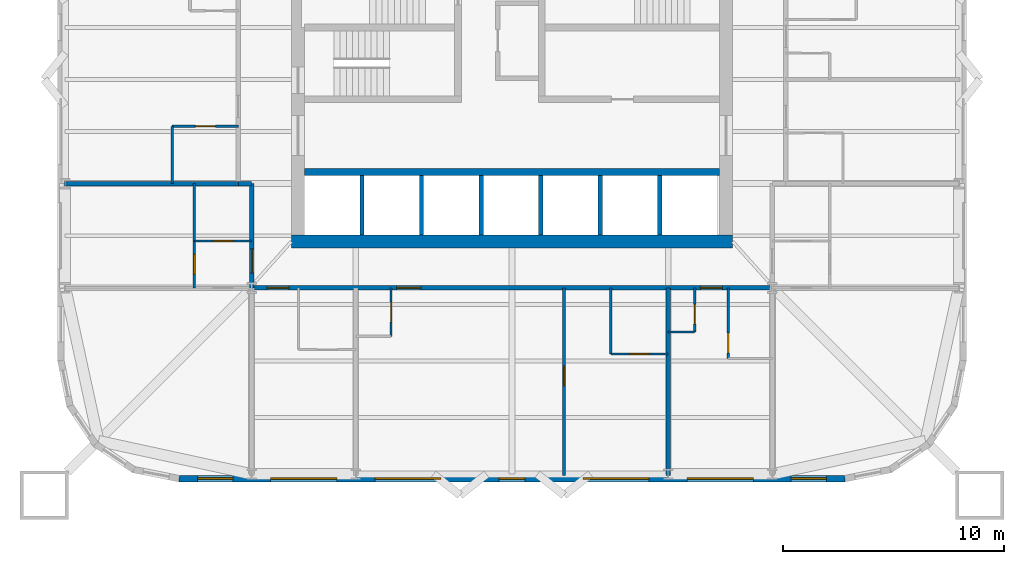
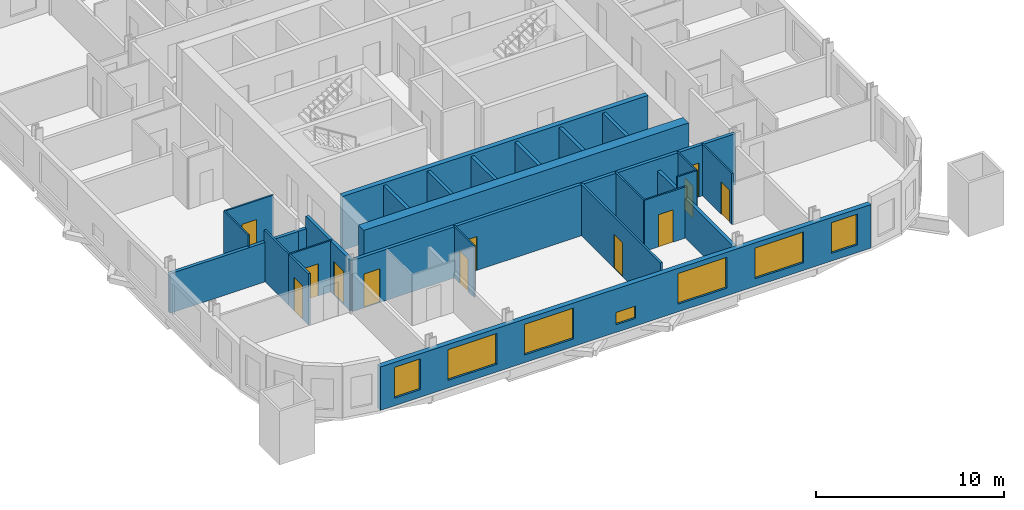
# One storey, part 3 of 9: 26 walls, 12 doors, 7 windows, 19 openings.
"""IFC4 building model written with IfcOpenShell, lengths in metres."""

import ifcopenshell
import ifcopenshell.guid

model = None  # the IFC model being written
_history = None  # IfcOwnerHistory: only IFC2X3 demands one
_inside = {}  # id of a spatial element -> (the spatial element, [elements in it])
_under = {}  # id of a project, library or spatial element -> (it, [spatial elements below it])
_declared = {}  # id of a project -> (the project, [libraries it declares])
_typed = {}  # id of a type object -> (the type object, [elements of that type])
_made_of = {}  # id of a material, layer set ... -> (it, [elements and type objects made of it])


def new_model(schema):
    """Start an empty IFC model of exactly this schema.

    Asked for "IFC4X3", IfcOpenShell would pick the latest addendum, in which some entities
    have other attributes; the version numbers below select the first issue.
    IFC2X3 requires an IfcOwnerHistory on every rooted entity: one is made here for all.
    """
    global model, _history
    if schema == "IFC4X3":
        model = ifcopenshell.file(schema_version=(4, 3, 0, 0))
    else:
        model = ifcopenshell.file(schema=schema)
    _inside.clear()
    _under.clear()
    _declared.clear()
    _typed.clear()
    _made_of.clear()
    _history = None
    if model.schema == "IFC2X3":
        org = make("IfcOrganization", Name="unknown")
        user = make(
            "IfcPersonAndOrganization",
            ThePerson=make("IfcPerson", FamilyName="unknown"),
            TheOrganization=org,
        )
        app = make(
            "IfcApplication",
            ApplicationDeveloper=org,
            Version="unknown",
            ApplicationFullName="unknown",
            ApplicationIdentifier="unknown",
        )
        _history = make(
            "IfcOwnerHistory",
            OwningUser=user,
            OwningApplication=app,
            ChangeAction="ADDED",
            CreationDate=0,
        )
    return model


def make(cls, **values):
    """One entity of the class cls with the attributes given. An attribute that is None is left unset."""
    return model.create_entity(
        cls, **{name: value for name, value in values.items() if value is not None}
    )


def rooted(cls, **values):
    """An entity with a GlobalId (a new one), such as an element, a storey or a relation."""
    return make(cls, GlobalId=ifcopenshell.guid.new(), OwnerHistory=_history, **values)


def si_unit(unit_type, name, prefix=None):
    """IfcSIUnit, for example si_unit("LENGTHUNIT", "METRE", prefix="MILLI")."""
    return make("IfcSIUnit", UnitType=unit_type, Prefix=prefix, Name=name)


def assignment(units):
    """IfcUnitAssignment: the units of a project."""
    return None if units is None else make("IfcUnitAssignment", Units=units)


def point(xyz):
    """IfcCartesianPoint."""
    return None if xyz is None else make("IfcCartesianPoint", Coordinates=xyz)


def direction(xyz):
    """IfcDirection."""
    return None if xyz is None else make("IfcDirection", DirectionRatios=xyz)


def frame(location, z_axis=None, x_axis=None):
    """IfcAxis2Placement3D, a coordinate frame: its origin and axes. An axis left out is left unset."""
    return make(
        "IfcAxis2Placement3D",
        Location=point(location),
        Axis=direction(z_axis),
        RefDirection=direction(x_axis),
    )


def frame_2d(location, x_axis=None):
    """IfcAxis2Placement2D, a coordinate frame in the plane: its origin and x axis."""
    return make(
        "IfcAxis2Placement2D", Location=point(location), RefDirection=direction(x_axis)
    )


def origin():
    """The frame at (0, 0, 0) with its axes left unset."""
    return frame((0.0, 0.0, 0.0))


def place(relative_to, where):
    """IfcLocalPlacement: puts the frame where relative to a parent placement (None: the world)."""
    return make(
        "IfcLocalPlacement", PlacementRelTo=relative_to, RelativePlacement=where
    )


def context(
    kind, dimensions, precision=None, world=None, true_north=None, identifier=None
):
    """IfcGeometricRepresentationContext, for example the 3D "Model" context."""
    return make(
        "IfcGeometricRepresentationContext",
        ContextIdentifier=identifier,
        ContextType=kind,
        CoordinateSpaceDimension=dimensions,
        Precision=precision,
        WorldCoordinateSystem=world,
        TrueNorth=true_north,
    )


def subcontext(parent, identifier, kind, view, scale=None):
    """IfcGeometricRepresentationSubContext, for example "Body" below "Model"."""
    return make(
        "IfcGeometricRepresentationSubContext",
        ContextIdentifier=identifier,
        ContextType=kind,
        ParentContext=parent,
        TargetScale=scale,
        TargetView=view,
    )


def project(units=None, contexts=None):
    """IfcProject with its units and contexts."""
    return rooted(
        "IfcProject",
        Name="project",
        RepresentationContexts=contexts,
        UnitsInContext=assignment(units),
    )


def spatial(cls, under=None, at=None, **own):
    """A site, building, storey or space (cls), placed at a placement, below another one or the project."""
    s = rooted(cls, ObjectPlacement=at, **own)
    if under is not None:
        _under.setdefault(under.id(), (under, []))[1].append(s)
    return s


def profile(cls, at=None, kind="AREA", **sizes):
    """A parametric profile (cls). Its sizes go by their IFC names, for example OverallWidth=200.0."""
    return make(cls, ProfileType=kind, Position=at, **sizes)


def rectangle(**sizes):
    """IfcRectangleProfileDef."""
    return profile("IfcRectangleProfileDef", **sizes)


def extrude(swept, where, along, depth):
    """IfcExtrudedAreaSolid: the profile swept, set in the frame where, extruded along a direction by depth."""
    return make(
        "IfcExtrudedAreaSolid",
        SweptArea=swept,
        Position=where,
        ExtrudedDirection=direction(along),
        Depth=depth,
    )


def shape(context_of_items, identifier, shape_type, items):
    """IfcShapeRepresentation: the items that make up one representation, for example the "Body"."""
    return make(
        "IfcShapeRepresentation",
        ContextOfItems=context_of_items,
        RepresentationIdentifier=identifier,
        RepresentationType=shape_type,
        Items=items,
    )


def material(Name=None, Category=None):
    """IfcMaterial."""
    return make("IfcMaterial", Name=Name, Category=Category)


def layer(
    of_material, thickness, ventilated=None, Name=None, Category=None, Priority=None
):
    """IfcMaterialLayer: one layer of a wall or slab, of a material (None: an air gap)."""
    return make(
        "IfcMaterialLayer",
        Material=of_material,
        LayerThickness=thickness,
        IsVentilated=ventilated,
        Name=Name,
        Category=Category,
        Priority=Priority,
    )


def layer_set(layers, Name=None):
    """IfcMaterialLayerSet."""
    return make("IfcMaterialLayerSet", MaterialLayers=layers, LayerSetName=Name)


def made_of(thing, what):
    """Note that an element or type object is made of a material, layer set ...; save() writes the relation."""
    if what is not None:
        _made_of.setdefault(what.id(), (what, []))[1].append(thing)
    return thing


def type_object(cls, material=None, **own):
    """A type object (cls), such as IfcWallType, which elements share."""
    return made_of(rooted(cls, **own), material)


def element(
    cls,
    number,
    at=None,
    inside=None,
    cuts=None,
    type_object=None,
    material=None,
    context=None,
    identifier="Body",
    shape_type=None,
    held_by="IfcProductDefinitionShape",
    body=None,
    shapes=None,
    **own,
):
    """One element of the class cls, such as IfcWall. Its Tag is "e" and its number.

    at: its placement. inside: the storey or other place that contains it. cuts: it is an
    opening in that element (IfcRelVoidsElement). A single representation is given by context,
    identifier, shape_type and body (its items); several are given by shapes. held_by: the class
    of the entity that holds the representations. save() writes the other relations.
    """
    e = rooted(cls, Tag="e%d" % number, ObjectPlacement=at, **own)
    if body is not None:
        shapes = [shape(context, identifier, shape_type, body)]
    if shapes is not None:
        e.Representation = make(held_by, Representations=shapes)
    if inside is not None:
        _inside.setdefault(inside.id(), (inside, []))[1].append(e)
    if cuts is not None:
        rooted(
            "IfcRelVoidsElement", RelatingBuildingElement=cuts, RelatedOpeningElement=e
        )
    if type_object is not None:
        _typed.setdefault(type_object.id(), (type_object, []))[1].append(e)
    return made_of(e, material)


def fill(opening, filler):
    """IfcRelFillsElement: the door or window that sits in an opening."""
    return rooted(
        "IfcRelFillsElement",
        RelatingOpeningElement=opening,
        RelatedBuildingElement=filler,
    )


def aggregate(whole, parts):
    """IfcRelAggregates: a whole, such as a stair, and the parts it consists of."""
    return rooted("IfcRelAggregates", RelatingObject=whole, RelatedObjects=parts)


def save(model, path):
    """Write the relations noted so far, then the file.

    IfcRelAggregates (storeys below a building ...), IfcRelContainedInSpatialStructure (elements
    in a storey), IfcRelDefinesByType, IfcRelAssociatesMaterial and IfcRelDeclares: one each for
    every whole, place, type object, material and project.
    """
    for whole, parts in _under.values():
        aggregate(whole, parts)
    for where, things in _inside.values():
        rooted(
            "IfcRelContainedInSpatialStructure",
            RelatedElements=things,
            RelatingStructure=where,
        )
    for kind, things in _typed.values():
        rooted("IfcRelDefinesByType", RelatedObjects=things, RelatingType=kind)
    for what, things in _made_of.values():
        rooted("IfcRelAssociatesMaterial", RelatedObjects=things, RelatingMaterial=what)
    for by, libraries in _declared.values():
        rooted("IfcRelDeclares", RelatingContext=by, RelatedDefinitions=libraries)
    model.write(path)


model = new_model("IFC4")

# Units and contexts
model_context = context("Model", 3, precision=1e-05, world=origin(), true_north=direction((0.0, 1.0)))
body_context = subcontext(model_context, "Body", "Model", "MODEL_VIEW")
ifc_project = project(units=[si_unit("LENGTHUNIT", "METRE"), si_unit("AREAUNIT", "SQUARE_METRE"), si_unit("VOLUMEUNIT", "CUBIC_METRE"), si_unit("PLANEANGLEUNIT", "RADIAN"), si_unit("MASSUNIT", "GRAM", prefix="KILO")], contexts=[model_context])

# Site, building, storey
site_placement = place(None, origin())
site = spatial("IfcSite", under=ifc_project, at=site_placement, CompositionType="ELEMENT")
building_placement = place(site_placement, origin())
building = spatial("IfcBuilding", under=site, at=building_placement, Name="Turquesa Mirador Hotel Tower", CompositionType="ELEMENT")
storey_placement = place(building_placement, frame((0.0, 0.0, 121.39990234375)))
storey = spatial("IfcBuildingStorey", under=building, at=storey_placement, Name="L32", CompositionType="ELEMENT", Elevation=121.39990234375)

# Wall
ifc_material_1 = material(Name="Gypsum board on steel studs", Category="steel")
ifc_layer_1 = layer(ifc_material_1, 0.10009765625)
ifc_layer_set_1 = layer_set([ifc_layer_1], Name="BATHROOM WALL 100")
wall_type_1 = type_object("IfcWallType", Name="BATHROOM WALL 100", PredefinedType="PARTITIONING", material=ifc_layer_set_1)
wall_1_placement = place(storey_placement, frame((62.080078125, 31.199951171875, 0.0), z_axis=(0.0, 0.0, 1.0), x_axis=(1.0, 0.0, 0.0)))
element("IfcWall", 1, at=wall_1_placement, inside=storey, type_object=wall_type_1, Name="Partition L32 005", PredefinedType="PARTITIONING", context=body_context, shape_type="SweptSolid", body=[
    extrude(rectangle(XDim=1.199951171875, YDim=0.10009765625, at=frame_2d((0.60009765625, 0.0))), origin(), (0.0, 0.0, 1.0), 3.330078125),
])

# Wall, opening, door
wall_2_placement = place(storey_placement, frame((59.47998046875, 30.199951171875, 0.0), z_axis=(0.0, 0.0, 1.0), x_axis=(1.0, 0.0, 0.0)))
wall_2 = element("IfcWall", 2, at=wall_2_placement, inside=storey, type_object=wall_type_1, Name="Partition L32 008", PredefinedType="PARTITIONING", context=body_context, shape_type="SweptSolid", body=[
    extrude(rectangle(XDim=2.60009765625, YDim=0.10009765625, at=frame_2d((1.300048828125, 0.0))), origin(), (0.0, 0.0, 1.0), 3.330078125),
])
opening_1_placement = place(wall_2_placement, frame((0.85009765625, 0.0, 0.0)))
opening_1 = element("IfcOpeningElement", 3, at=opening_1_placement, cuts=wall_2, Name="Opening D02", PredefinedType="OPENING", context=body_context, shape_type="SweptSolid", body=[
    extrude(rectangle(XDim=0.89990234375, YDim=2.10009765625, at=frame_2d((0.449951171875, 1.050048828125))), frame((0.0, 0.06005859375, 0.0), z_axis=(0.0, -1.0, 0.0), x_axis=(1.0, 0.0, 0.0)), (0.0, 0.0, 1.0), 0.1201171875),
])
ifc_material_2 = material(Name="Timber veneered door", Category="wood")
door_type_1 = type_object("IfcDoorType", Name="DOOR 900X2100 EN-SUITE", OperationType="SINGLE_SWING_RIGHT", PredefinedType="DOOR", material=ifc_material_2)
door_1_placement = place(opening_1_placement, origin())
door_1 = element("IfcDoor", 4, at=door_1_placement, inside=storey, type_object=door_type_1, Name="Door 3206B", OperationType="SINGLE_SWING_RIGHT", OverallHeight=2.10009765625, OverallWidth=0.89990234375, PredefinedType="DOOR", context=body_context, shape_type="SweptSolid", body=[
    extrude(rectangle(XDim=0.89990234375, YDim=2.10009765625, at=frame_2d((0.449951171875, 1.050048828125))), frame((0.0, 0.02490234375, 0.0), z_axis=(0.0, -1.0, 0.0), x_axis=(1.0, 0.0, 0.0)), (0.0, 0.0, 1.0), 0.050048828125),
])
fill(opening_1, door_1)

wall_3_placement = place(storey_placement, frame((39.60009765625, 40.52001953125, 0.0), z_axis=(0.0, 0.0, 1.0), x_axis=(1.0, 0.0, 0.0)))
wall_3 = element("IfcWall", 5, at=wall_3_placement, inside=storey, type_object=wall_type_1, Name="Partition L32 011", PredefinedType="PARTITIONING", context=body_context, shape_type="SweptSolid", body=[
    extrude(rectangle(XDim=3.0, YDim=0.10009765625, at=frame_2d((1.5, 0.0))), origin(), (0.0, 0.0, 1.0), 3.330078125),
])
opening_2_placement = place(wall_3_placement, frame((1.050048828125, 0.0, 0.0)))
opening_2 = element("IfcOpeningElement", 6, at=opening_2_placement, cuts=wall_3, Name="Opening D02", PredefinedType="OPENING", context=body_context, shape_type="SweptSolid", body=[
    extrude(rectangle(XDim=0.89990234375, YDim=2.10009765625, at=frame_2d((0.449951171875, 1.050048828125))), frame((0.0, 0.06005859375, 0.0), z_axis=(0.0, -1.0, 0.0), x_axis=(1.0, 0.0, 0.0)), (0.0, 0.0, 1.0), 0.1201171875),
])
door_2_placement = place(opening_2_placement, origin())
door_2 = element("IfcDoor", 7, at=door_2_placement, inside=storey, type_object=door_type_1, Name="Door 3211B", OperationType="SINGLE_SWING_RIGHT", OverallHeight=2.10009765625, OverallWidth=0.89990234375, PredefinedType="DOOR", context=body_context, shape_type="SweptSolid", body=[
    extrude(rectangle(XDim=0.89990234375, YDim=2.10009765625, at=frame_2d((0.449951171875, 1.050048828125))), frame((0.0, 0.02490234375, 0.0), z_axis=(0.0, -1.0, 0.0), x_axis=(1.0, 0.0, 0.0)), (0.0, 0.0, 1.0), 0.050048828125),
])
fill(opening_2, door_2)

wall_4_placement = place(storey_placement, frame((40.60009765625, 35.320068359375, 0.0), z_axis=(0.0, 0.0, 1.0), x_axis=(1.0, 0.0, 0.0)))
wall_4 = element("IfcWall", 8, at=wall_4_placement, inside=storey, type_object=wall_type_1, Name="Partition L32 017", PredefinedType="PARTITIONING", context=body_context, shape_type="SweptSolid", body=[
    extrude(rectangle(XDim=2.599853515625, YDim=0.10009765625, at=frame_2d((1.2998046875, 0.0))), origin(), (0.0, 0.0, 1.0), 3.330078125),
])
opening_3_placement = place(wall_4_placement, frame((0.85009765625, 0.0, 0.0)))
opening_3 = element("IfcOpeningElement", 9, at=opening_3_placement, cuts=wall_4, Name="Opening D02", PredefinedType="OPENING", context=body_context, shape_type="SweptSolid", body=[
    extrude(rectangle(XDim=0.89990234375, YDim=2.10009765625, at=frame_2d((0.449951171875, 1.050048828125))), frame((0.0, 0.06005859375, 0.0), z_axis=(0.0, -1.0, 0.0), x_axis=(1.0, 0.0, 0.0)), (0.0, 0.0, 1.0), 0.1201171875),
])
door_3_placement = place(opening_3_placement, origin())
door_3 = element("IfcDoor", 10, at=door_3_placement, inside=storey, type_object=door_type_1, Name="Door 3215B", OperationType="SINGLE_SWING_RIGHT", OverallHeight=2.10009765625, OverallWidth=0.89990234375, PredefinedType="DOOR", context=body_context, shape_type="SweptSolid", body=[
    extrude(rectangle(XDim=0.89990234375, YDim=2.10009765625, at=frame_2d((0.449951171875, 1.050048828125))), frame((0.0, 0.02490234375, 0.0), z_axis=(0.0, -1.0, 0.0), x_axis=(1.0, 0.0, 0.0)), (0.0, 0.0, 1.0), 0.050048828125),
])
fill(opening_3, door_3)

# Walls
wall_5_placement = place(storey_placement, frame((40.60009765625, 35.320068359375, 0.0), z_axis=(0.0, 0.0, 1.0), x_axis=(0.0, 1.0, 0.0)))
element("IfcWall", 11, at=wall_5_placement, inside=storey, type_object=wall_type_1, Name="Partition L32 047", PredefinedType="PARTITIONING", context=body_context, shape_type="SweptSolid", body=[
    extrude(rectangle(XDim=2.599853515625, YDim=0.10009765625, at=frame_2d((1.2998046875, 0.0))), origin(), (0.0, 0.0, 1.0), 3.330078125),
])
wall_6_placement = place(storey_placement, frame((39.60009765625, 37.919921875, 0.0), z_axis=(0.0, 0.0, 1.0), x_axis=(0.0, 1.0, 0.0)))
element("IfcWall", 12, at=wall_6_placement, inside=storey, type_object=wall_type_1, Name="Partition L32 052", PredefinedType="PARTITIONING", context=body_context, shape_type="SweptSolid", body=[
    extrude(rectangle(XDim=2.60009765625, YDim=0.10009765625, at=frame_2d((1.300048828125, 0.0))), origin(), (0.0, 0.0, 1.0), 3.330078125),
])

# Wall, opening, door
wall_7_placement = place(storey_placement, frame((49.52001953125, 31.0, 0.0), z_axis=(0.0, 0.0, 1.0), x_axis=(0.0, 1.0, 0.0)))
wall_7 = element("IfcWall", 13, at=wall_7_placement, inside=storey, type_object=wall_type_1, Name="Partition L32 056", PredefinedType="PARTITIONING", context=body_context, shape_type="SweptSolid", body=[
    extrude(rectangle(XDim=2.199951171875, YDim=0.10009765625, at=frame_2d((1.10009765625, 0.0))), origin(), (0.0, 0.0, 1.0), 3.330078125),
])
opening_4_placement = place(wall_7_placement, frame((0.64990234375, 0.0, 0.0)))
opening_4 = element("IfcOpeningElement", 14, at=opening_4_placement, cuts=wall_7, Name="Opening D06", PredefinedType="OPENING", context=body_context, shape_type="SweptSolid", body=[
    extrude(rectangle(XDim=0.89990234375, YDim=2.10009765625, at=frame_2d((0.449951171875, 1.050048828125))), frame((0.0, 0.06005859375, 0.0), z_axis=(0.0, -1.0, 0.0), x_axis=(1.0, 0.0, 0.0)), (0.0, 0.0, 1.0), 0.1201171875),
])
ifc_material_3 = material(Name="Laminate door", Category="wood")
door_type_2 = type_object("IfcDoorType", Name="DOOR 900X2100 WC", OperationType="SINGLE_SWING_LEFT", PredefinedType="DOOR", material=ifc_material_3)
door_4_placement = place(opening_4_placement, origin())
door_4 = element("IfcDoor", 15, at=door_4_placement, inside=storey, type_object=door_type_2, Name="Door 3206W", OperationType="SINGLE_SWING_LEFT", OverallHeight=2.10009765625, OverallWidth=0.89990234375, PredefinedType="DOOR", context=body_context, shape_type="SweptSolid", body=[
    extrude(rectangle(XDim=0.89990234375, YDim=2.10009765625, at=frame_2d((0.449951171875, 1.050048828125))), frame((0.0, 0.02490234375, 0.0), z_axis=(0.0, -1.0, 0.0), x_axis=(1.0, 0.0, 0.0)), (0.0, 0.0, 1.0), 0.050048828125),
])
fill(opening_4, door_4)

# Wall
wall_8_placement = place(storey_placement, frame((59.47998046875, 30.199951171875, 0.0), z_axis=(0.0, 0.0, 1.0), x_axis=(0.0, 1.0, 0.0)))
element("IfcWall", 16, at=wall_8_placement, inside=storey, type_object=wall_type_1, Name="Partition L32 080", PredefinedType="PARTITIONING", context=body_context, shape_type="SweptSolid", body=[
    extrude(rectangle(XDim=3.0, YDim=0.10009765625, at=frame_2d((1.5, 0.0))), origin(), (0.0, 0.0, 1.0), 3.330078125),
])

# Wall, opening, door
wall_9_placement = place(storey_placement, frame((63.280029296875, 31.199951171875, 0.0), z_axis=(0.0, 0.0, 1.0), x_axis=(0.0, 1.0, 0.0)))
wall_9 = element("IfcWall", 17, at=wall_9_placement, inside=storey, type_object=wall_type_1, Name="Partition L32 083", PredefinedType="PARTITIONING", context=body_context, shape_type="SweptSolid", body=[
    extrude(rectangle(XDim=2.0, YDim=0.10009765625, at=frame_2d((1.0, 0.0))), origin(), (0.0, 0.0, 1.0), 3.330078125),
])
opening_5_placement = place(wall_9_placement, frame((0.35009765625, 0.0, 0.0)))
opening_5 = element("IfcOpeningElement", 18, at=opening_5_placement, cuts=wall_9, Name="Opening D06", PredefinedType="OPENING", context=body_context, shape_type="SweptSolid", body=[
    extrude(rectangle(XDim=0.89990234375, YDim=2.10009765625, at=frame_2d((0.449951171875, 1.050048828125))), frame((0.0, 0.06005859375, 0.0), z_axis=(0.0, -1.0, 0.0), x_axis=(1.0, 0.0, 0.0)), (0.0, 0.0, 1.0), 0.1201171875),
])
door_5_placement = place(opening_5_placement, origin())
door_5 = element("IfcDoor", 19, at=door_5_placement, inside=storey, type_object=door_type_2, Name="Door 3207W", OperationType="SINGLE_SWING_LEFT", OverallHeight=2.10009765625, OverallWidth=0.89990234375, PredefinedType="DOOR", context=body_context, shape_type="SweptSolid", body=[
    extrude(rectangle(XDim=0.89990234375, YDim=2.10009765625, at=frame_2d((0.449951171875, 1.050048828125))), frame((0.0, 0.02490234375, 0.0), z_axis=(0.0, -1.0, 0.0), x_axis=(1.0, 0.0, 0.0)), (0.0, 0.0, 1.0), 0.050048828125),
])
fill(opening_5, door_5)

wall_10_placement = place(storey_placement, frame((64.800048828125, 30.0, 0.0), z_axis=(0.0, 0.0, 1.0), x_axis=(0.0, 1.0, 0.0)))
wall_10 = element("IfcWall", 20, at=wall_10_placement, inside=storey, type_object=wall_type_1, Name="Partition L32 084", PredefinedType="PARTITIONING", context=body_context, shape_type="SweptSolid", body=[
    extrude(rectangle(XDim=3.199951171875, YDim=0.10009765625, at=frame_2d((1.60009765625, 0.0))), origin(), (0.0, 0.0, 1.0), 3.330078125),
])
opening_6_placement = place(wall_10_placement, frame((0.25, 0.0, 0.0)))
opening_6 = element("IfcOpeningElement", 21, at=opening_6_placement, cuts=wall_10, Name="Opening D02", PredefinedType="OPENING", context=body_context, shape_type="SweptSolid", body=[
    extrude(rectangle(XDim=0.89990234375, YDim=2.10009765625, at=frame_2d((0.449951171875, 1.050048828125))), frame((0.0, 0.06005859375, 0.0), z_axis=(0.0, -1.0, 0.0), x_axis=(1.0, 0.0, 0.0)), (0.0, 0.0, 1.0), 0.1201171875),
])
door_6_placement = place(opening_6_placement, origin())
door_6 = element("IfcDoor", 22, at=door_6_placement, inside=storey, type_object=door_type_1, Name="Door 3207B", OperationType="SINGLE_SWING_RIGHT", OverallHeight=2.10009765625, OverallWidth=0.89990234375, PredefinedType="DOOR", context=body_context, shape_type="SweptSolid", body=[
    extrude(rectangle(XDim=0.89990234375, YDim=2.10009765625, at=frame_2d((0.449951171875, 1.050048828125))), frame((0.0, 0.02490234375, 0.0), z_axis=(0.0, -1.0, 0.0), x_axis=(1.0, 0.0, 0.0)), (0.0, 0.0, 1.0), 0.050048828125),
])
fill(opening_6, door_6)

# Walls
ifc_material_4 = material(Name="Concrete C50/60", Category="concrete")
ifc_layer_2 = layer(ifc_material_4, 0.300048828125)
ifc_layer_set_2 = layer_set([ifc_layer_2], Name="CORE INNER WALL 300")
wall_type_2 = type_object("IfcWallType", Name="CORE INNER WALL 300", PredefinedType="SHEAR", material=ifc_layer_set_2)
wall_11_placement = place(storey_placement, frame((45.60009765625, 38.449951171875, 0.0), z_axis=(0.0, 0.0, 1.0), x_axis=(1.0, 0.0, 0.0)))
element("IfcWall", 23, at=wall_11_placement, inside=storey, type_object=wall_type_2, Name="Core wall SL", PredefinedType="SHEAR", context=body_context, shape_type="SweptSolid", body=[
    extrude(rectangle(XDim=18.7998046875, YDim=0.300048828125, at=frame_2d((9.39990234375, 0.0))), origin(), (0.0, 0.0, 1.0), 3.5),
])
ifc_material_5 = material(Name="Concrete C50/60", Category="concrete")
ifc_layer_3 = layer(ifc_material_5, 0.60009765625)
ifc_layer_set_3 = layer_set([ifc_layer_3], Name="CORE WALL 600")
wall_type_3 = type_object("IfcWallType", Name="CORE WALL 600", PredefinedType="SHEAR", material=ifc_layer_set_3)
wall_12_placement = place(storey_placement, frame((45.0, 35.300048828125, 0.0), z_axis=(0.0, 0.0, 1.0), x_axis=(1.0, 0.0, 0.0)))
element("IfcWall", 24, at=wall_12_placement, inside=storey, type_object=wall_type_3, Name="Core wall S", PredefinedType="SHEAR", context=body_context, shape_type="SweptSolid", body=[
    extrude(rectangle(XDim=20.0, YDim=0.60009765625, at=frame_2d((10.0, 0.0))), origin(), (0.0, 0.0, 1.0), 3.5),
])

# Wall, openings, doors
ifc_material_6 = material(Name="Fire-rated gypsum board on steel studs", Category="steel")
ifc_layer_4 = layer(ifc_material_6, 0.199951171875)
ifc_layer_set_4 = layer_set([ifc_layer_4], Name="CORRIDOR WALL 200")
wall_type_4 = type_object("IfcWallType", Name="CORRIDOR WALL 200", PredefinedType="PARTITIONING", material=ifc_layer_set_4)
wall_13_placement = place(storey_placement, frame((43.199951171875, 33.199951171875, 0.0), z_axis=(0.0, 0.0, 1.0), x_axis=(1.0, 0.0, 0.0)))
wall_13 = element("IfcWall", 25, at=wall_13_placement, inside=storey, type_object=wall_type_4, Name="Partition L32 002", PredefinedType="PARTITIONING", context=body_context, shape_type="SweptSolid", body=[
    extrude(rectangle(XDim=23.60009765625, YDim=0.199951171875, at=frame_2d((11.800048828125, 0.0))), origin(), (0.0, 0.0, 1.0), 3.330078125),
])
opening_7_placement = place(wall_13_placement, frame((0.699951171875, 0.0, 0.0)))
opening_7 = element("IfcOpeningElement", 26, at=opening_7_placement, cuts=wall_13, Name="Opening D01", PredefinedType="OPENING", context=body_context, shape_type="SweptSolid", body=[
    extrude(rectangle(XDim=1.0, YDim=2.199951171875, at=frame_2d((0.5, 1.10009765625))), frame((0.0, 0.10986328125, 0.0), z_axis=(0.0, -1.0, 0.0), x_axis=(1.0, 0.0, 0.0)), (0.0, 0.0, 1.0), 0.219970703125),
])
opening_8_placement = place(wall_13_placement, frame((6.570068359375, 0.0, 0.0)))
opening_8 = element("IfcOpeningElement", 27, at=opening_8_placement, cuts=wall_13, Name="Opening D15", PredefinedType="OPENING", context=body_context, shape_type="SweptSolid", body=[
    extrude(rectangle(XDim=1.10009765625, YDim=2.199951171875, at=frame_2d((0.550048828125, 1.10009765625))), frame((0.0, 0.10986328125, 0.0), z_axis=(0.0, -1.0, 0.0), x_axis=(1.0, 0.0, 0.0)), (0.0, 0.0, 1.0), 0.219970703125),
])
opening_9_placement = place(wall_13_placement, frame((20.340087890625, 0.0, 0.0)))
opening_9 = element("IfcOpeningElement", 28, at=opening_9_placement, cuts=wall_13, Name="Opening D01", PredefinedType="OPENING", context=body_context, shape_type="SweptSolid", body=[
    extrude(rectangle(XDim=1.0, YDim=2.199951171875, at=frame_2d((0.5, 1.10009765625))), frame((0.0, 0.10986328125, 0.0), z_axis=(0.0, -1.0, 0.0), x_axis=(1.0, 0.0, 0.0)), (0.0, 0.0, 1.0), 0.219970703125),
])
ifc_material_7 = material(Name="Timber veneered fire door", Category="wood")
door_type_3 = type_object("IfcDoorType", Name="DOOR 1000X2200 GUEST ENTRY", OperationType="SINGLE_SWING_LEFT", PredefinedType="DOOR", material=ifc_material_7)
door_7_placement = place(opening_7_placement, origin())
door_7 = element("IfcDoor", 29, at=door_7_placement, inside=storey, type_object=door_type_3, Name="Door 3205", OperationType="SINGLE_SWING_LEFT", OverallHeight=2.199951171875, OverallWidth=1.0, PredefinedType="DOOR", context=body_context, shape_type="SweptSolid", body=[
    extrude(rectangle(XDim=1.0, YDim=2.199951171875, at=frame_2d((0.5, 1.10009765625))), frame((0.0, 0.02490234375, 0.0), z_axis=(0.0, -1.0, 0.0), x_axis=(1.0, 0.0, 0.0)), (0.0, 0.0, 1.0), 0.050048828125),
])
fill(opening_7, door_7)
door_8_placement = place(opening_9_placement, origin())
door_8 = element("IfcDoor", 30, at=door_8_placement, inside=storey, type_object=door_type_3, Name="Door 3207", OperationType="SINGLE_SWING_LEFT", OverallHeight=2.199951171875, OverallWidth=1.0, PredefinedType="DOOR", context=body_context, shape_type="SweptSolid", body=[
    extrude(rectangle(XDim=1.0, YDim=2.199951171875, at=frame_2d((0.5, 1.10009765625))), frame((0.0, 0.02490234375, 0.0), z_axis=(0.0, -1.0, 0.0), x_axis=(1.0, 0.0, 0.0)), (0.0, 0.0, 1.0), 0.050048828125),
])
fill(opening_9, door_8)
ifc_material_8 = material(Name="Timber veneered fire door", Category="wood")
door_type_4 = type_object("IfcDoorType", Name="DOOR 1100X2200 SUITE ENTRY", OperationType="SINGLE_SWING_LEFT", PredefinedType="DOOR", material=ifc_material_8)
door_9_placement = place(opening_8_placement, origin())
door_9 = element("IfcDoor", 31, at=door_9_placement, inside=storey, type_object=door_type_4, Name="Door 3206", OperationType="SINGLE_SWING_LEFT", OverallHeight=2.199951171875, OverallWidth=1.10009765625, PredefinedType="DOOR", context=body_context, shape_type="SweptSolid", body=[
    extrude(rectangle(XDim=1.10009765625, YDim=2.199951171875, at=frame_2d((0.550048828125, 1.10009765625))), frame((0.0, 0.02490234375, 0.0), z_axis=(0.0, -1.0, 0.0), x_axis=(1.0, 0.0, 0.0)), (0.0, 0.0, 1.0), 0.050048828125),
])
fill(opening_8, door_9)

# Wall
wall_14_placement = place(storey_placement, frame((42.60009765625, 37.919921875, 0.0), z_axis=(0.0, 0.0, 1.0), x_axis=(1.0, 0.0, 0.0)))
element("IfcWall", 32, at=wall_14_placement, inside=storey, type_object=wall_type_4, Name="Partition L32 013", PredefinedType="PARTITIONING", context=body_context, shape_type="SweptSolid", body=[
    extrude(rectangle(XDim=0.599853515625, YDim=0.199951171875, at=frame_2d((0.2998046875, 0.0))), origin(), (0.0, 0.0, 1.0), 2.5732421875),
])

# Wall, opening, door
wall_15_placement = place(storey_placement, frame((43.199951171875, 33.199951171875, 0.0), z_axis=(0.0, 0.0, 1.0), x_axis=(0.0, 1.0, 0.0)))
wall_15 = element("IfcWall", 33, at=wall_15_placement, inside=storey, type_object=wall_type_4, Name="Partition L32 042", PredefinedType="PARTITIONING", context=body_context, shape_type="SweptSolid", body=[
    extrude(rectangle(XDim=4.719970703125, YDim=0.199951171875, at=frame_2d((2.35986328125, 0.0))), origin(), (0.0, 0.0, 1.0), 3.330078125),
])
opening_10_placement = place(wall_15_placement, frame((0.659912109375, 0.0, 0.0)))
opening_10 = element("IfcOpeningElement", 34, at=opening_10_placement, cuts=wall_15, Name="Opening D15", PredefinedType="OPENING", context=body_context, shape_type="SweptSolid", body=[
    extrude(rectangle(XDim=1.10009765625, YDim=2.199951171875, at=frame_2d((0.550048828125, 1.10009765625))), frame((0.0, 0.10986328125, 0.0), z_axis=(0.0, -1.0, 0.0), x_axis=(1.0, 0.0, 0.0)), (0.0, 0.0, 1.0), 0.219970703125),
])
door_10_placement = place(opening_10_placement, origin())
door_10 = element("IfcDoor", 35, at=door_10_placement, inside=storey, type_object=door_type_4, Name="Door 3215H", OperationType="SINGLE_SWING_LEFT", OverallHeight=2.199951171875, OverallWidth=1.10009765625, PredefinedType="DOOR", context=body_context, shape_type="SweptSolid", body=[
    extrude(rectangle(XDim=1.10009765625, YDim=2.199951171875, at=frame_2d((0.550048828125, 1.10009765625))), frame((0.0, 0.02490234375, 0.0), z_axis=(0.0, -1.0, 0.0), x_axis=(1.0, 0.0, 0.0)), (0.0, 0.0, 1.0), 0.050048828125),
])
fill(opening_10, door_10)

# Wall, openings, windows
ifc_material_9 = material(Name="Limestone cladding on concrete block", Category="masonry")
ifc_layer_5 = layer(ifc_material_9, 0.300048828125)
ifc_layer_set_5 = layer_set([ifc_layer_5], Name="FACADE WALL 300 STONE SCREEN")
wall_type_5 = type_object("IfcWallType", Name="FACADE WALL 300 STONE SCREEN", PredefinedType="SOLIDWALL", material=ifc_layer_set_5)
wall_16_placement = place(storey_placement, frame((39.89990234375, 24.550048828125, 0.0), z_axis=(0.0, 0.0, 1.0), x_axis=(1.0, 0.0, 0.0)))
wall_16 = element("IfcWall", 36, at=wall_16_placement, inside=storey, type_object=wall_type_5, Name="Facade wall L32 19", PredefinedType="SOLIDWALL", context=body_context, shape_type="SweptSolid", body=[
    extrude(rectangle(XDim=30.2001953125, YDim=0.300048828125, at=frame_2d((15.10009765625, 0.0))), origin(), (0.0, 0.0, 1.0), 2.830078125),
])
opening_11_placement = place(wall_16_placement, frame((0.85009765625, 0.0, 0.5)))
opening_11 = element("IfcOpeningElement", 37, at=opening_11_placement, cuts=wall_16, Name="Opening WN3", PredefinedType="OPENING", context=body_context, shape_type="SweptSolid", body=[
    extrude(rectangle(XDim=1.60009765625, YDim=2.0, at=frame_2d((0.800048828125, 1.0))), frame((0.0, 0.159912109375, 0.0), z_axis=(0.0, -1.0, 0.0), x_axis=(1.0, 0.0, 0.0)), (0.0, 0.0, 1.0), 0.320068359375),
])
opening_12_placement = place(wall_16_placement, frame((4.159912109375, 0.0, 0.5)))
opening_12 = element("IfcOpeningElement", 38, at=opening_12_placement, cuts=wall_16, Name="Opening WN1", PredefinedType="OPENING", context=body_context, shape_type="SweptSolid", body=[
    extrude(rectangle(XDim=3.0, YDim=2.0, at=frame_2d((1.5, 1.0))), frame((0.0, 0.159912109375, 0.0), z_axis=(0.0, -1.0, 0.0), x_axis=(1.0, 0.0, 0.0)), (0.0, 0.0, 1.0), 0.320068359375),
])
opening_13_placement = place(wall_16_placement, frame((8.8798828125, 0.0, 0.5)))
opening_13 = element("IfcOpeningElement", 39, at=opening_13_placement, cuts=wall_16, Name="Opening WN1", PredefinedType="OPENING", context=body_context, shape_type="SweptSolid", body=[
    extrude(rectangle(XDim=3.0, YDim=2.0, at=frame_2d((1.5, 1.0))), frame((0.0, 0.159912109375, 0.0), z_axis=(0.0, -1.0, 0.0), x_axis=(1.0, 0.0, 0.0)), (0.0, 0.0, 1.0), 0.320068359375),
])
opening_14_placement = place(wall_16_placement, frame((14.5, 0.0, 0.5)))
opening_14 = element("IfcOpeningElement", 40, at=opening_14_placement, cuts=wall_16, Name="Opening WN39", PredefinedType="OPENING", context=body_context, shape_type="SweptSolid", body=[
    extrude(rectangle(XDim=1.199951171875, YDim=0.800048828125, at=frame_2d((0.60009765625, 0.39990234375))), frame((0.0, 0.159912109375, 0.0), z_axis=(0.0, -1.0, 0.0), x_axis=(1.0, 0.0, 0.0)), (0.0, 0.0, 1.0), 0.320068359375),
])
opening_15_placement = place(wall_16_placement, frame((18.320068359375, 0.0, 0.5)))
opening_15 = element("IfcOpeningElement", 41, at=opening_15_placement, cuts=wall_16, Name="Opening WN1", PredefinedType="OPENING", context=body_context, shape_type="SweptSolid", body=[
    extrude(rectangle(XDim=3.0, YDim=2.0, at=frame_2d((1.5, 1.0))), frame((0.0, 0.159912109375, 0.0), z_axis=(0.0, -1.0, 0.0), x_axis=(1.0, 0.0, 0.0)), (0.0, 0.0, 1.0), 0.320068359375),
])
opening_16_placement = place(wall_16_placement, frame((23.0400390625, 0.0, 0.5)))
opening_16 = element("IfcOpeningElement", 42, at=opening_16_placement, cuts=wall_16, Name="Opening WN1", PredefinedType="OPENING", context=body_context, shape_type="SweptSolid", body=[
    extrude(rectangle(XDim=3.0, YDim=2.0, at=frame_2d((1.5, 1.0))), frame((0.0, 0.159912109375, 0.0), z_axis=(0.0, -1.0, 0.0), x_axis=(1.0, 0.0, 0.0)), (0.0, 0.0, 1.0), 0.320068359375),
])
opening_17_placement = place(wall_16_placement, frame((27.75, 0.0, 0.5)))
opening_17 = element("IfcOpeningElement", 43, at=opening_17_placement, cuts=wall_16, Name="Opening WN3", PredefinedType="OPENING", context=body_context, shape_type="SweptSolid", body=[
    extrude(rectangle(XDim=1.60009765625, YDim=2.0, at=frame_2d((0.800048828125, 1.0))), frame((0.0, 0.159912109375, 0.0), z_axis=(0.0, -1.0, 0.0), x_axis=(1.0, 0.0, 0.0)), (0.0, 0.0, 1.0), 0.320068359375),
])
ifc_material_10 = material(Name="Ceramic-fritted laminated glass", Category="glass")
window_type_1 = type_object("IfcWindowType", Name="FRITTED WINDOW 1200X800", PartitioningType="DOUBLE_PANEL_HORIZONTAL", PredefinedType="WINDOW", material=ifc_material_10)
window_1_placement = place(opening_14_placement, origin())
window_1 = element("IfcWindow", 44, at=window_1_placement, inside=storey, type_object=window_type_1, Name="Window L32", OverallHeight=0.800048828125, OverallWidth=1.199951171875, PartitioningType="SINGLE_PANEL", PredefinedType="WINDOW", context=body_context, shape_type="SweptSolid", body=[
    extrude(rectangle(XDim=1.199951171875, YDim=0.800048828125, at=frame_2d((0.60009765625, 0.39990234375))), frame((0.0, 0.030029296875, 0.0), z_axis=(0.0, -1.0, 0.0), x_axis=(1.0, 0.0, 0.0)), (0.0, 0.0, 1.0), 0.06005859375),
])
fill(opening_14, window_1)
ifc_material_11 = material(Name="Ceramic-fritted laminated glass", Category="glass")
window_type_2 = type_object("IfcWindowType", Name="FRITTED WINDOW 1600X2000", PartitioningType="DOUBLE_PANEL_HORIZONTAL", PredefinedType="WINDOW", material=ifc_material_11)
window_2_placement = place(opening_11_placement, origin())
window_2 = element("IfcWindow", 45, at=window_2_placement, inside=storey, type_object=window_type_2, Name="Window L32", OverallHeight=2.0, OverallWidth=1.60009765625, PartitioningType="SINGLE_PANEL", PredefinedType="WINDOW", context=body_context, shape_type="SweptSolid", body=[
    extrude(rectangle(XDim=1.60009765625, YDim=2.0, at=frame_2d((0.800048828125, 1.0))), frame((0.0, 0.030029296875, 0.0), z_axis=(0.0, -1.0, 0.0), x_axis=(1.0, 0.0, 0.0)), (0.0, 0.0, 1.0), 0.06005859375),
])
fill(opening_11, window_2)
window_3_placement = place(opening_17_placement, origin())
window_3 = element("IfcWindow", 46, at=window_3_placement, inside=storey, type_object=window_type_2, Name="Window L32", OverallHeight=2.0, OverallWidth=1.60009765625, PartitioningType="SINGLE_PANEL", PredefinedType="WINDOW", context=body_context, shape_type="SweptSolid", body=[
    extrude(rectangle(XDim=1.60009765625, YDim=2.0, at=frame_2d((0.800048828125, 1.0))), frame((0.0, 0.030029296875, 0.0), z_axis=(0.0, -1.0, 0.0), x_axis=(1.0, 0.0, 0.0)), (0.0, 0.0, 1.0), 0.06005859375),
])
fill(opening_17, window_3)
ifc_material_12 = material(Name="Ceramic-fritted laminated glass", Category="glass")
window_type_3 = type_object("IfcWindowType", Name="FRITTED WINDOW 3000X2000", PartitioningType="DOUBLE_PANEL_HORIZONTAL", PredefinedType="WINDOW", material=ifc_material_12)
window_4_placement = place(opening_12_placement, origin())
window_4 = element("IfcWindow", 47, at=window_4_placement, inside=storey, type_object=window_type_3, Name="Window L32", OverallHeight=2.0, OverallWidth=3.0, PartitioningType="SINGLE_PANEL", PredefinedType="WINDOW", context=body_context, shape_type="SweptSolid", body=[
    extrude(rectangle(XDim=3.0, YDim=2.0, at=frame_2d((1.5, 1.0))), frame((0.0, 0.030029296875, 0.0), z_axis=(0.0, -1.0, 0.0), x_axis=(1.0, 0.0, 0.0)), (0.0, 0.0, 1.0), 0.06005859375),
])
fill(opening_12, window_4)
window_5_placement = place(opening_13_placement, origin())
window_5 = element("IfcWindow", 48, at=window_5_placement, inside=storey, type_object=window_type_3, Name="Window L32", OverallHeight=2.0, OverallWidth=3.0, PartitioningType="SINGLE_PANEL", PredefinedType="WINDOW", context=body_context, shape_type="SweptSolid", body=[
    extrude(rectangle(XDim=3.0, YDim=2.0, at=frame_2d((1.5, 1.0))), frame((0.0, 0.030029296875, 0.0), z_axis=(0.0, -1.0, 0.0), x_axis=(1.0, 0.0, 0.0)), (0.0, 0.0, 1.0), 0.06005859375),
])
fill(opening_13, window_5)
window_6_placement = place(opening_15_placement, origin())
window_6 = element("IfcWindow", 49, at=window_6_placement, inside=storey, type_object=window_type_3, Name="Window L32", OverallHeight=2.0, OverallWidth=3.0, PartitioningType="SINGLE_PANEL", PredefinedType="WINDOW", context=body_context, shape_type="SweptSolid", body=[
    extrude(rectangle(XDim=3.0, YDim=2.0, at=frame_2d((1.5, 1.0))), frame((0.0, 0.030029296875, 0.0), z_axis=(0.0, -1.0, 0.0), x_axis=(1.0, 0.0, 0.0)), (0.0, 0.0, 1.0), 0.06005859375),
])
fill(opening_15, window_6)
window_7_placement = place(opening_16_placement, origin())
window_7 = element("IfcWindow", 50, at=window_7_placement, inside=storey, type_object=window_type_3, Name="Window L32", OverallHeight=2.0, OverallWidth=3.0, PartitioningType="SINGLE_PANEL", PredefinedType="WINDOW", context=body_context, shape_type="SweptSolid", body=[
    extrude(rectangle(XDim=3.0, YDim=2.0, at=frame_2d((1.5, 1.0))), frame((0.0, 0.030029296875, 0.0), z_axis=(0.0, -1.0, 0.0), x_axis=(1.0, 0.0, 0.0)), (0.0, 0.0, 1.0), 0.06005859375),
])
fill(opening_16, window_7)

# Walls
ifc_material_13 = material(Name="Fire-rated gypsum shaft wall on steel studs", Category="steel")
ifc_layer_6 = layer(ifc_material_13, 0.199951171875)
ifc_layer_set_6 = layer_set([ifc_layer_6], Name="LIFT SHAFT DIVIDER 200")
wall_type_6 = type_object("IfcWallType", Name="LIFT SHAFT DIVIDER 200", PredefinedType="PARTITIONING", material=ifc_layer_set_6)
for number, where, z_axis, x_axis, name in (
    (51, (48.199951171875, 35.60009765625, 0.0), (0.0, 0.0, 1.0), (0.0, 1.0, 0.0), "Lift shaft divider"),
    (52, (50.89990234375, 35.60009765625, 0.0), (0.0, 0.0, 1.0), (0.0, 1.0, 0.0), "Lift shaft divider"),
    (53, (53.60009765625, 35.60009765625, 0.0), (0.0, 0.0, 1.0), (0.0, 1.0, 0.0), "Lift shaft divider"),
    (54, (56.300048828125, 35.60009765625, 0.0), (0.0, 0.0, 1.0), (0.0, 1.0, 0.0), "Lift shaft divider"),
    (55, (59.0, 35.60009765625, 0.0), (0.0, 0.0, 1.0), (0.0, 1.0, 0.0), "Lift shaft divider"),
    (56, (61.699951171875, 35.60009765625, 0.0), (0.0, 0.0, 1.0), (0.0, 1.0, 0.0), "Lift shaft divider"),
):
    element("IfcWall", number, at=place(storey_placement, frame(where, z_axis=z_axis, x_axis=x_axis)), inside=storey, type_object=wall_type_6, Name=name, PredefinedType="PARTITIONING", context=body_context, shape_type="SweptSolid", body=[
        extrude(rectangle(XDim=2.699951171875, YDim=0.199951171875, at=frame_2d((1.35009765625, 0.0))), origin(), (0.0, 0.0, 1.0), 3.330078125),
    ])
ifc_material_14 = material(Name="Fire-rated gypsum board on steel studs", Category="steel")
ifc_layer_7 = layer(ifc_material_14, 0.199951171875)
ifc_layer_set_7 = layer_set([ifc_layer_7], Name="PARTY WALL 200")
wall_type_7 = type_object("IfcWallType", Name="PARTY WALL 200", PredefinedType="PARTITIONING", material=ifc_layer_set_7)
wall_17_placement = place(storey_placement, frame((34.699951171875, 37.919921875, 0.0), z_axis=(0.0, 0.0, 1.0), x_axis=(1.0, 0.0, 0.0)))
element("IfcWall", 57, at=wall_17_placement, inside=storey, type_object=wall_type_7, Name="Partition L32 015", PredefinedType="PARTITIONING", context=body_context, shape_type="SweptSolid", body=[
    extrude(rectangle(XDim=7.900146484375, YDim=0.199951171875, at=frame_2d((3.9501953125, 0.0))), origin(), (0.0, 0.0, 1.0), 2.5732421875),
])
wall_18_placement = place(storey_placement, frame((62.080078125, 24.699951171875, 0.0), z_axis=(0.0, 0.0, 1.0), x_axis=(0.0, 1.0, 0.0)))
element("IfcWall", 58, at=wall_18_placement, inside=storey, type_object=wall_type_7, Name="Partition L32 082", PredefinedType="PARTITIONING", context=body_context, shape_type="SweptSolid", body=[
    extrude(rectangle(XDim=8.5, YDim=0.199951171875, at=frame_2d((4.25, 0.0))), origin(), (0.0, 0.0, 1.0), 2.5732421875),
])

# Wall, opening, door
ifc_material_15 = material(Name="Acoustic gypsum board on steel studs", Category="steel")
ifc_layer_8 = layer(ifc_material_15, 0.125)
ifc_layer_set_8 = layer_set([ifc_layer_8], Name="SUITE PARTITION 125")
wall_type_8 = type_object("IfcWallType", Name="SUITE PARTITION 125", PredefinedType="PARTITIONING", material=ifc_layer_set_8)
wall_19_placement = place(storey_placement, frame((40.60009765625, 33.199951171875, 0.0), z_axis=(0.0, 0.0, 1.0), x_axis=(0.0, 1.0, 0.0)))
wall_19 = element("IfcWall", 59, at=wall_19_placement, inside=storey, type_object=wall_type_8, Name="Partition L32 049", PredefinedType="PARTITIONING", context=body_context, shape_type="SweptSolid", body=[
    extrude(rectangle(XDim=2.1201171875, YDim=0.125, at=frame_2d((1.06005859375, 0.0))), origin(), (0.0, 0.0, 1.0), 3.330078125),
])
opening_18_placement = place(wall_19_placement, frame((0.610107421875, 0.0, 0.0)))
opening_18 = element("IfcOpeningElement", 60, at=opening_18_placement, cuts=wall_19, Name="Opening D17", PredefinedType="OPENING", context=body_context, shape_type="SweptSolid", body=[
    extrude(rectangle(XDim=0.89990234375, YDim=2.199951171875, at=frame_2d((0.449951171875, 1.10009765625))), frame((0.0, 0.072509765625, 0.0), z_axis=(0.0, -1.0, 0.0), x_axis=(1.0, 0.0, 0.0)), (0.0, 0.0, 1.0), 0.14501953125),
])
ifc_material_16 = material(Name="Timber veneered door", Category="wood")
door_type_5 = type_object("IfcDoorType", Name="DOOR 900X2200 SUITE INTERNAL", OperationType="SINGLE_SWING_LEFT", PredefinedType="DOOR", material=ifc_material_16)
door_11_placement = place(opening_18_placement, origin())
door_11 = element("IfcDoor", 61, at=door_11_placement, inside=storey, type_object=door_type_5, Name="Door 3215R", OperationType="SINGLE_SWING_LEFT", OverallHeight=2.199951171875, OverallWidth=0.89990234375, PredefinedType="DOOR", context=body_context, shape_type="SweptSolid", body=[
    extrude(rectangle(XDim=0.89990234375, YDim=2.199951171875, at=frame_2d((0.449951171875, 1.10009765625))), frame((0.0, 0.02490234375, 0.0), z_axis=(0.0, -1.0, 0.0), x_axis=(1.0, 0.0, 0.0)), (0.0, 0.0, 1.0), 0.050048828125),
])
fill(opening_18, door_11)

wall_20_placement = place(storey_placement, frame((57.360107421875, 24.699951171875, 0.0), z_axis=(0.0, 0.0, 1.0), x_axis=(0.0, 1.0, 0.0)))
wall_20 = element("IfcWall", 62, at=wall_20_placement, inside=storey, type_object=wall_type_8, Name="Partition L32 079", PredefinedType="PARTITIONING", context=body_context, shape_type="SweptSolid", body=[
    extrude(rectangle(XDim=8.5, YDim=0.125, at=frame_2d((4.25, 0.0))), origin(), (0.0, 0.0, 1.0), 3.330078125),
])
opening_19_placement = place(wall_20_placement, frame((4.050048828125, 0.0, 0.0)))
opening_19 = element("IfcOpeningElement", 63, at=opening_19_placement, cuts=wall_20, Name="Opening D17", PredefinedType="OPENING", context=body_context, shape_type="SweptSolid", body=[
    extrude(rectangle(XDim=0.89990234375, YDim=2.199951171875, at=frame_2d((0.449951171875, 1.10009765625))), frame((0.0, 0.072509765625, 0.0), z_axis=(0.0, -1.0, 0.0), x_axis=(1.0, 0.0, 0.0)), (0.0, 0.0, 1.0), 0.14501953125),
])
door_12_placement = place(opening_19_placement, origin())
door_12 = element("IfcDoor", 64, at=door_12_placement, inside=storey, type_object=door_type_5, Name="Door 3206R", OperationType="SINGLE_SWING_LEFT", OverallHeight=2.199951171875, OverallWidth=0.89990234375, PredefinedType="DOOR", context=body_context, shape_type="SweptSolid", body=[
    extrude(rectangle(XDim=0.89990234375, YDim=2.199951171875, at=frame_2d((0.449951171875, 1.10009765625))), frame((0.0, 0.02490234375, 0.0), z_axis=(0.0, -1.0, 0.0), x_axis=(1.0, 0.0, 0.0)), (0.0, 0.0, 1.0), 0.050048828125),
])
fill(opening_19, door_12)

save(model, "model.ifc")
